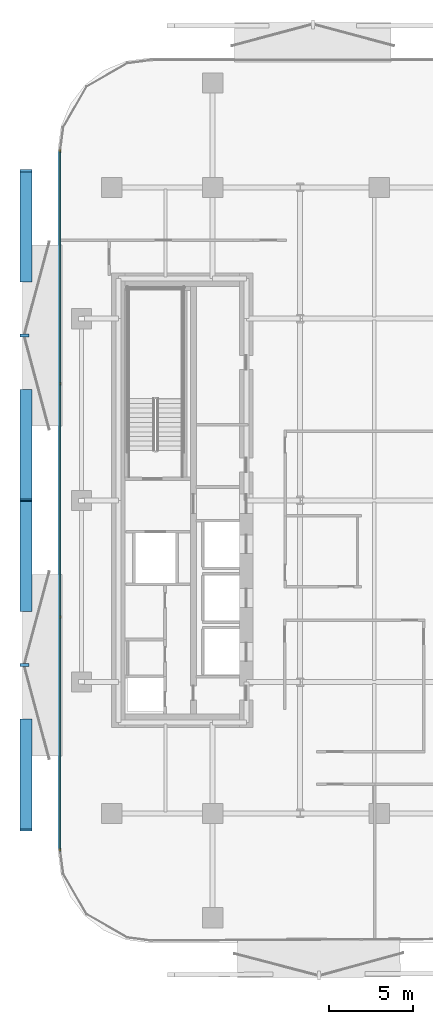
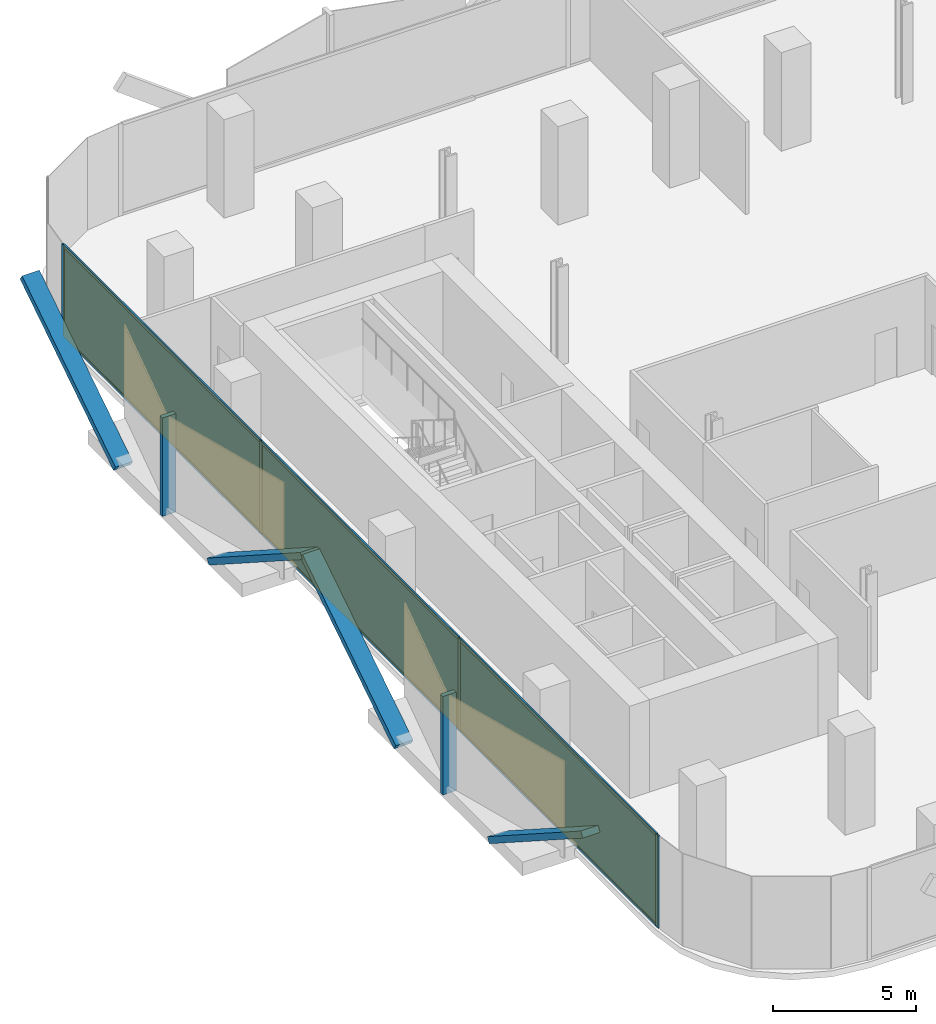
# One storey, part 8 of 15: 16 members, 3 plates, 1 curtain wall.
"""IFC4 building model written with IfcOpenShell, lengths in metres."""

from ifc_helpers import new_model, si_unit, direction, frame, frame_2d, origin, origin_2d, place, context, subcontext, project, spatial, rectangle, extrude, material, layer, layer_set, material_profile, profile_set, type_object, element, aggregate, save


model = new_model("IFC4")

# Units and contexts
model_context = context("Model", 3, precision=1e-05, world=origin(), true_north=direction((0.0, 1.0)))
body_context = subcontext(model_context, "Body", "Model", "MODEL_VIEW")
ifc_project = project(units=[si_unit("LENGTHUNIT", "METRE"), si_unit("AREAUNIT", "SQUARE_METRE"), si_unit("VOLUMEUNIT", "CUBIC_METRE"), si_unit("PLANEANGLEUNIT", "RADIAN"), si_unit("MASSUNIT", "GRAM", prefix="KILO")], contexts=[model_context])

# Member
ifc_material_1 = material(Name="Anodised Bronze Aluminium 6063-T6", Category="aluminium")
ifc_material_profile_1 = material_profile(ifc_material_1, rectangle(XDim=0.260009765625, YDim=0.699951171875, at=origin_2d()))
ifc_profile_set_1 = profile_set([ifc_material_profile_1], Name="Anodised Bronze Aluminium 6063-T6")
member_type_1 = type_object("IfcMemberType", Name="Bronze Diamond Solar-Screen Lattice Rib BDL-700", PredefinedType="MULLION", material=ifc_profile_set_1)
site_placement = place(None, origin())
building_placement = place(site_placement, origin())
storey_placement = place(building_placement, frame((0.0, 0.0, 114.199951171875)))
member_1_placement = place(storey_placement, frame((-25.5, -6.5302734375, -0.1298828125), z_axis=(0.0, 0.841066075866, 0.540932395062), x_axis=(0.0, -0.540932395062, 0.841066075866)))
member_1 = element("IfcMember", 1, at=member_1_placement, type_object=member_type_1, Name="L26 Bronze Diamond Solar Screen Lattice Rib 155A", PredefinedType="MULLION", context=body_context, shape_type="SweptSolid", body=[
    extrude(rectangle(XDim=0.260009765625, YDim=0.699951171875, at=origin_2d()), origin(), (0.0, 0.0, 1.0), 7.76416015625),
])

member_2_placement = place(storey_placement, frame((-25.5, -13.060546875, -0.1298828125), z_axis=(0.0, -0.841066075866, 0.540932395062), x_axis=(0.0, 0.540932395062, 0.841066075866)))
member_2 = element("IfcMember", 2, at=member_2_placement, type_object=member_type_1, Name="L26 Bronze Diamond Solar Screen Lattice Rib 155B", PredefinedType="MULLION", context=body_context, shape_type="SweptSolid", body=[
    extrude(rectangle(XDim=0.260009765625, YDim=0.699951171875, at=origin_2d()), origin(), (0.0, 0.0, 1.0), 7.76416015625),
])

member_3_placement = place(storey_placement, frame((-25.5, 13.060546875, -0.1298828125), z_axis=(0.0, 0.841066075866, 0.540932395062), x_axis=(0.0, -0.540932395062, 0.841066075866)))
member_3 = element("IfcMember", 3, at=member_3_placement, type_object=member_type_1, Name="L26 Bronze Diamond Solar Screen Lattice Rib 156A", PredefinedType="MULLION", context=body_context, shape_type="SweptSolid", body=[
    extrude(rectangle(XDim=0.260009765625, YDim=0.699951171875, at=origin_2d()), origin(), (0.0, 0.0, 1.0), 7.76416015625),
])

member_4_placement = place(storey_placement, frame((-25.5, 6.5302734375, -0.1298828125), z_axis=(0.0, -0.841066075866, 0.540932395062), x_axis=(0.0, 0.540932395062, 0.841066075866)))
member_4 = element("IfcMember", 4, at=member_4_placement, type_object=member_type_1, Name="L26 Bronze Diamond Solar Screen Lattice Rib 156B", PredefinedType="MULLION", context=body_context, shape_type="SweptSolid", body=[
    extrude(rectangle(XDim=0.260009765625, YDim=0.699951171875, at=origin_2d()), origin(), (0.0, 0.0, 1.0), 7.76416015625),
])

ifc_material_2 = material(Name="Anodised Bronze Aluminium 6063-T6", Category="aluminium")
ifc_material_profile_2 = material_profile(ifc_material_2, rectangle(XDim=0.179931640625, YDim=0.5400390625, at=origin_2d()))
ifc_profile_set_2 = profile_set([ifc_material_profile_2], Name="Anodised Bronze Aluminium 6063-T6")
member_type_2 = type_object("IfcMemberType", Name="Bronze Solar-Screen Vertical Fold Fin BSF-540", PredefinedType="MULLION", material=ifc_profile_set_2)
member_5_placement = place(storey_placement, frame((-25.580078125, -9.79541015625, -0.1298828125), z_axis=(0.0, 0.0, 1.0), x_axis=(0.0, 1.0, 0.0)))
member_5 = element("IfcMember", 5, at=member_5_placement, type_object=member_type_2, Name="L26 Bronze Solar Screen Vertical Fin 155", PredefinedType="MULLION", context=body_context, shape_type="SweptSolid", body=[
    extrude(rectangle(XDim=0.179931640625, YDim=0.5400390625, at=origin_2d()), origin(), (0.0, 0.0, 1.0), 4.199951171875),
])

member_6_placement = place(storey_placement, frame((-25.580078125, 9.79541015625, -0.1298828125), z_axis=(0.0, 0.0, 1.0), x_axis=(0.0, 1.0, 0.0)))
member_6 = element("IfcMember", 6, at=member_6_placement, type_object=member_type_2, Name="L26 Bronze Solar Screen Vertical Fin 156", PredefinedType="MULLION", context=body_context, shape_type="SweptSolid", body=[
    extrude(rectangle(XDim=0.179931640625, YDim=0.5400390625, at=origin_2d()), origin(), (0.0, 0.0, 1.0), 4.199951171875),
])

ifc_material_3 = material(Name="Anodised Bronze Aluminium 6063-T6", Category="aluminium")
ifc_material_profile_3 = material_profile(ifc_material_3, rectangle(XDim=0.06494140625, YDim=0.175048828125, at=origin_2d()))
ifc_profile_set_3 = profile_set([ifc_material_profile_3], Name="Anodised Bronze Aluminium 6063-T6")
member_type_3 = type_object("IfcMemberType", Name="CW-Z2 Mullion 65x175", PredefinedType="MULLION", material=ifc_profile_set_3)
member_7_placement = place(storey_placement, frame((-23.4599609375, -20.75830078125, 0.0), z_axis=(0.0, 0.0, 1.0), x_axis=(-1.0, 0.0, 0.0)))
member_7 = element("IfcMember", 7, at=member_7_placement, type_object=member_type_3, Name="CW-Z2 mullion 1", PredefinedType="MULLION", context=body_context, shape_type="SweptSolid", body=[
    extrude(rectangle(XDim=0.06494140625, YDim=0.175048828125, at=origin_2d()), origin(), (0.0, 0.0, 1.0), 3.93994140625),
])

member_8_placement = place(storey_placement, frame((-23.4599609375, -6.93017578125, 0.0), z_axis=(0.0, 0.0, 1.0), x_axis=(-1.0, 0.0, 0.0)))
member_8 = element("IfcMember", 8, at=member_8_placement, type_object=member_type_3, Name="CW-Z2 mullion 2", PredefinedType="MULLION", context=body_context, shape_type="SweptSolid", body=[
    extrude(rectangle(XDim=0.06494140625, YDim=0.175048828125, at=origin_2d()), origin(), (0.0, 0.0, 1.0), 3.93994140625),
])

member_9_placement = place(storey_placement, frame((-23.4599609375, 6.93017578125, 0.0), z_axis=(0.0, 0.0, 1.0), x_axis=(-1.0, 0.0, 0.0)))
member_9 = element("IfcMember", 9, at=member_9_placement, type_object=member_type_3, Name="CW-Z2 mullion 3", PredefinedType="MULLION", context=body_context, shape_type="SweptSolid", body=[
    extrude(rectangle(XDim=0.06494140625, YDim=0.175048828125, at=origin_2d()), origin(), (0.0, 0.0, 1.0), 3.93994140625),
])

member_10_placement = place(storey_placement, frame((-23.4599609375, 20.75830078125, 0.0), z_axis=(0.0, 0.0, 1.0), x_axis=(-1.0, 0.0, 0.0)))
member_10 = element("IfcMember", 10, at=member_10_placement, type_object=member_type_3, Name="CW-Z2 mullion 4", PredefinedType="MULLION", context=body_context, shape_type="SweptSolid", body=[
    extrude(rectangle(XDim=0.06494140625, YDim=0.175048828125, at=origin_2d()), origin(), (0.0, 0.0, 1.0), 3.93994140625),
])

ifc_material_4 = material(Name="Anodised Bronze Aluminium 6063-T6", Category="aluminium")
ifc_material_profile_4 = material_profile(ifc_material_4, rectangle(XDim=0.06494140625, YDim=0.135009765625, at=origin_2d()))
ifc_profile_set_4 = profile_set([ifc_material_profile_4], Name="Anodised Bronze Aluminium 6063-T6")
member_type_4 = type_object("IfcMemberType", Name="CW-Z2 Transom 65x135", PredefinedType="USERDEFINED", material=ifc_profile_set_4)
member_11_placement = place(storey_placement, frame((-23.4599609375, -20.725830078125, 0.032470703125), z_axis=(0.0, 1.0, 0.0), x_axis=(-1.0, 0.0, 0.0)))
member_11 = element("IfcMember", 11, at=member_11_placement, type_object=member_type_4, Name="CW-Z2 transom 1.1", ObjectType="TRANSOM", PredefinedType="USERDEFINED", context=body_context, shape_type="SweptSolid", body=[
    extrude(rectangle(XDim=0.06494140625, YDim=0.135009765625, at=origin_2d()), origin(), (0.0, 0.0, 1.0), 13.76318359375),
])

member_12_placement = place(storey_placement, frame((-23.4599609375, -20.725830078125, 3.907470703125), z_axis=(0.0, 1.0, 0.0), x_axis=(-1.0, 0.0, 0.0)))
member_12 = element("IfcMember", 12, at=member_12_placement, type_object=member_type_4, Name="CW-Z2 transom 1.2", ObjectType="TRANSOM", PredefinedType="USERDEFINED", context=body_context, shape_type="SweptSolid", body=[
    extrude(rectangle(XDim=0.06494140625, YDim=0.135009765625, at=origin_2d()), origin(), (0.0, 0.0, 1.0), 13.76318359375),
])

member_13_placement = place(storey_placement, frame((-23.4599609375, -6.897705078125, 0.032470703125), z_axis=(0.0, 1.0, 0.0), x_axis=(-1.0, 0.0, 0.0)))
member_13 = element("IfcMember", 13, at=member_13_placement, type_object=member_type_4, Name="CW-Z2 transom 2.1", ObjectType="TRANSOM", PredefinedType="USERDEFINED", context=body_context, shape_type="SweptSolid", body=[
    extrude(rectangle(XDim=0.06494140625, YDim=0.135009765625, at=origin_2d()), origin(), (0.0, 0.0, 1.0), 13.79541015625),
])

member_14_placement = place(storey_placement, frame((-23.4599609375, -6.897705078125, 3.907470703125), z_axis=(0.0, 1.0, 0.0), x_axis=(-1.0, 0.0, 0.0)))
member_14 = element("IfcMember", 14, at=member_14_placement, type_object=member_type_4, Name="CW-Z2 transom 2.2", ObjectType="TRANSOM", PredefinedType="USERDEFINED", context=body_context, shape_type="SweptSolid", body=[
    extrude(rectangle(XDim=0.06494140625, YDim=0.135009765625, at=origin_2d()), origin(), (0.0, 0.0, 1.0), 13.79541015625),
])

member_15_placement = place(storey_placement, frame((-23.4599609375, 6.962646484375, 0.032470703125), z_axis=(0.0, 1.0, 0.0), x_axis=(-1.0, 0.0, 0.0)))
member_15 = element("IfcMember", 15, at=member_15_placement, type_object=member_type_4, Name="CW-Z2 transom 3.1", ObjectType="TRANSOM", PredefinedType="USERDEFINED", context=body_context, shape_type="SweptSolid", body=[
    extrude(rectangle(XDim=0.06494140625, YDim=0.135009765625, at=origin_2d()), origin(), (0.0, 0.0, 1.0), 13.76318359375),
])

member_16_placement = place(storey_placement, frame((-23.4599609375, 6.962646484375, 3.907470703125), z_axis=(0.0, 1.0, 0.0), x_axis=(-1.0, 0.0, 0.0)))
member_16 = element("IfcMember", 16, at=member_16_placement, type_object=member_type_4, Name="CW-Z2 transom 3.2", ObjectType="TRANSOM", PredefinedType="USERDEFINED", context=body_context, shape_type="SweptSolid", body=[
    extrude(rectangle(XDim=0.06494140625, YDim=0.135009765625, at=origin_2d()), origin(), (0.0, 0.0, 1.0), 13.76318359375),
])

# Plate
ifc_material_5 = material(Name="Low-E Solar Control Laminated Glass", Category="glass")
ifc_layer_1 = layer(ifc_material_5, 0.028076171875, Name="Low-E Solar Control Laminated Glass")
ifc_layer_set_1 = layer_set([ifc_layer_1], Name="Low-E Solar Control Laminated Glass")
plate_type = type_object("IfcPlateType", Name="CW-Z2 Low-E Double Glazed Panel 28mm", PredefinedType="CURTAIN_PANEL", material=ifc_layer_set_1)
plate_1_placement = place(storey_placement, frame((-23.4599609375, -13.84423828125, 0.06494140625), z_axis=(0.0, 0.0, 1.0), x_axis=(0.0, 1.0, 0.0)))
plate_1 = element("IfcPlate", 17, at=plate_1_placement, type_object=plate_type, Name="CW-Z2 panel 1.1", PredefinedType="CURTAIN_PANEL", context=body_context, shape_type="SweptSolid", body=[
    extrude(rectangle(XDim=13.762939453125, YDim=0.028076171875, at=origin_2d()), origin(), (0.0, 0.0, 1.0), 3.81005859375),
])

plate_2_placement = place(storey_placement, frame((-23.4599609375, 0.0, 0.06494140625), z_axis=(0.0, 0.0, 1.0), x_axis=(0.0, 1.0, 0.0)))
plate_2 = element("IfcPlate", 18, at=plate_2_placement, type_object=plate_type, Name="CW-Z2 panel 2.1", PredefinedType="CURTAIN_PANEL", context=body_context, shape_type="SweptSolid", body=[
    extrude(rectangle(XDim=13.795654296875, YDim=0.028076171875, at=origin_2d()), origin(), (0.0, 0.0, 1.0), 3.81005859375),
])

plate_3_placement = place(storey_placement, frame((-23.4599609375, 13.84423828125, 0.06494140625), z_axis=(0.0, 0.0, 1.0), x_axis=(0.0, 1.0, 0.0)))
plate_3 = element("IfcPlate", 19, at=plate_3_placement, type_object=plate_type, Name="CW-Z2 panel 3.1", PredefinedType="CURTAIN_PANEL", context=body_context, shape_type="SweptSolid", body=[
    extrude(rectangle(XDim=13.762939453125, YDim=0.028076171875, at=origin_2d()), origin(), (0.0, 0.0, 1.0), 3.81005859375),
])

# Site, building, storey
site = spatial("IfcSite", under=ifc_project, at=site_placement, CompositionType="ELEMENT")
building = spatial("IfcBuilding", under=site, at=building_placement, Name="Khairoan Windgate Tower", CompositionType="ELEMENT")
storey = spatial("IfcBuildingStorey", under=building, at=storey_placement, Name="L26", CompositionType="ELEMENT", Elevation=114.199951171875)

# Curtain wall
ifc_material_6 = material(Name="Anodised Bronze Aluminium 6063-T6", Category="aluminium")
ifc_layer_2 = layer(ifc_material_6, 0.175048828125, Name="Anodised Bronze Aluminium 6063-T6")
ifc_layer_set_2 = layer_set([ifc_layer_2], Name="Anodised Bronze Aluminium 6063-T6")
curtain_wall_type = type_object("IfcCurtainWallType", Name="Mid-Rise Office Unitised Curtain Wall CW-Z2", PredefinedType="NOTDEFINED", material=ifc_layer_set_2)
curtain_wall_placement = place(storey_placement, frame((-23.4599609375, -20.790771484375, 0.0), z_axis=(0.0, 0.0, 1.0), x_axis=(0.0, 1.0, 0.0)))
curtain_wall = element("IfcCurtainWall", 20, at=curtain_wall_placement, inside=storey, type_object=curtain_wall_type, Name="L26 Unitised Curtain Wall 6", PredefinedType="NOTDEFINED", context=body_context, shape_type="SweptSolid", body=[
    extrude(rectangle(XDim=41.58154296875, YDim=0.010009765625, at=frame_2d((20.790771484375, 0.0))), origin(), (0.0, 0.0, 1.0), 3.93994140625),
])

aggregate(curtain_wall, [member_7, member_8, member_9, member_10, member_11, member_12, plate_1, member_13, member_14, plate_2, member_15, member_16, plate_3, member_1, member_2, member_5, member_3, member_4, member_6])

save(model, "model.ifc")
